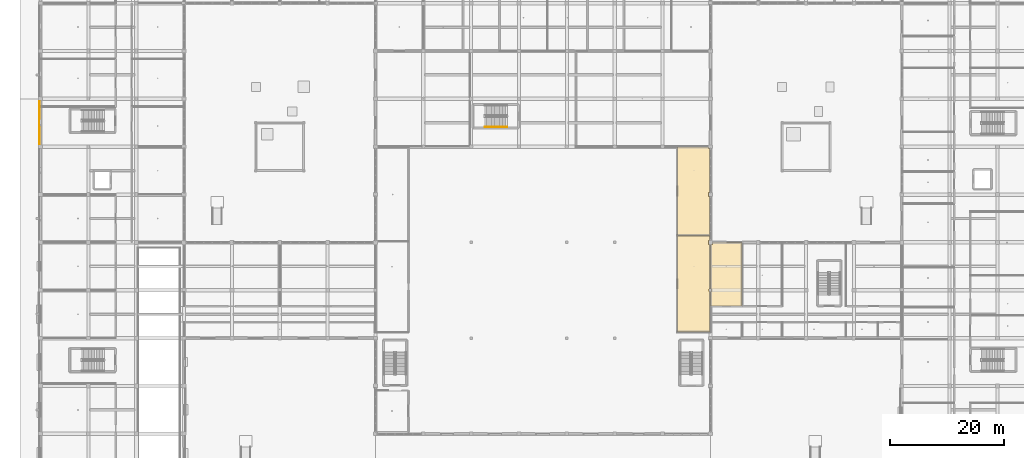
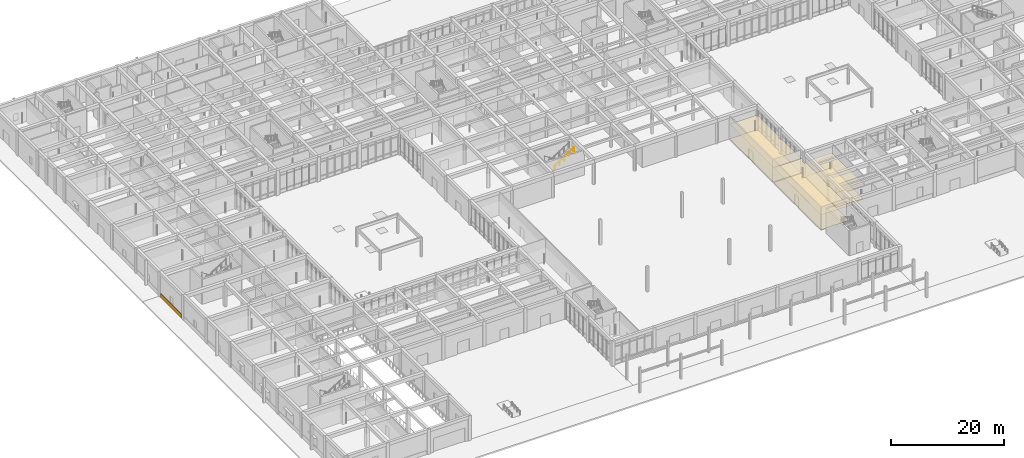
# One storey, part 146 of 167: 7 coverings, 1 railing.
"""IFC4 building model written with IfcOpenShell, lengths in metres."""

from ifc_helpers import new_model, si_unit, direction, frame, origin, origin_2d, place, context, subcontext, project, spatial, polyline, rectangle, circle, outline, extrude, material, layer, layer_set, type_object, element, save


model = new_model("IFC4")

# Units and contexts
model_context = context("Model", 3, precision=1e-05, world=origin(), true_north=direction((0.0, 1.0)))
body_context = subcontext(model_context, "Body", "Model", "MODEL_VIEW")
ifc_project = project(units=[si_unit("LENGTHUNIT", "METRE"), si_unit("AREAUNIT", "SQUARE_METRE"), si_unit("VOLUMEUNIT", "CUBIC_METRE"), si_unit("PLANEANGLEUNIT", "RADIAN"), si_unit("MASSUNIT", "GRAM", prefix="KILO")], contexts=[model_context])

# Site, building, storey
site_placement = place(None, origin())
site = spatial("IfcSite", under=ifc_project, at=site_placement, CompositionType="ELEMENT")
building_placement = place(site_placement, origin())
building = spatial("IfcBuilding", under=site, at=building_placement, Name="Varncliffe General Hospital", CompositionType="ELEMENT")
storey_placement = place(building_placement, origin())
storey = spatial("IfcBuildingStorey", under=building, at=storey_placement, Name="L00", CompositionType="ELEMENT", Elevation=0.0)

# Coverings
ifc_material_1 = material(Name="Hygienic antimicrobial acoustic suspended ceiling tile", Category="gypsum")
ifc_layer_1 = layer(ifc_material_1, 0.02490234375)
ifc_layer_set_1 = layer_set([ifc_layer_1], Name="Hygienic antimicrobial acoustic suspended ceiling tile")
covering_type_1 = type_object("IfcCoveringType", Name="Antimicrobial Acoustic Suspended Ceiling CLG44", PredefinedType="CEILING", material=ifc_layer_set_1)
covering_1_placement = place(storey_placement, frame((0.0, 0.0, 3.175048828125)))
element("IfcCovering", 1, at=covering_1_placement, inside=storey, type_object=covering_type_1, Name="L00 Hospital Dining Cafeteria Suspended Ceiling", PredefinedType="CEILING", context=body_context, shape_type="SweptSolid", body=[
    extrude(outline(polyline([(111.840087890625, 25.0400390625), (111.840087890625, 41.9599609375), (117.56005859375, 41.9599609375), (117.56005859375, 41.125), (117.27490234375, 41.125), (117.27490234375, 40.47509765625), (117.56005859375, 40.47509765625), (117.56005859375, 32.625), (117.375, 32.625), (117.375, 32.175048828125), (117.56005859375, 32.175048828125), (117.56005859375, 25.0400390625), (111.840087890625, 25.0400390625)])), origin(), (0.0, 0.0, 1.0), 0.02490234375),
])
covering_2_placement = place(storey_placement, frame((0.0, 0.0, 3.175048828125)))
element("IfcCovering", 2, at=covering_2_placement, inside=storey, type_object=covering_type_1, Name="L00 Cloister Cafe and Catering Kitchen Suspended Ceiling", PredefinedType="CEILING", context=body_context, shape_type="SweptSolid", body=[
    extrude(outline(polyline([(111.840087890625, 42.0400390625), (111.840087890625, 57.56005859375), (117.27490234375, 57.56005859375), (117.27490234375, 57.27490234375), (117.56005859375, 57.27490234375), (117.56005859375, 49.52490234375), (117.27490234375, 49.52490234375), (117.27490234375, 48.875), (117.56005859375, 48.875), (117.56005859375, 42.0400390625), (111.840087890625, 42.0400390625)])), origin(), (0.0, 0.0, 1.0), 0.02490234375),
])
covering_3_placement = place(storey_placement, frame((0.0, 0.0, 3.175048828125)))
element("IfcCovering", 3, at=covering_3_placement, inside=storey, type_object=covering_type_1, Name="L00 Outpatient Consultation and Exam Clinic 106 Suspended Ceiling", PredefinedType="CEILING", context=body_context, shape_type="SweptSolid", body=[
    extrude(outline(polyline([(123.159912109375, 40.760009765625), (123.159912109375, 29.639892578125), (117.639892578125, 29.639892578125), (117.639892578125, 32.175048828125), (117.824951171875, 32.175048828125), (117.824951171875, 32.625), (117.639892578125, 32.625), (117.639892578125, 40.47509765625), (117.925048828125, 40.47509765625), (117.925048828125, 40.760009765625), (123.159912109375, 40.760009765625)])), origin(), (0.0, 0.0, 1.0), 0.02490234375),
])
ifc_material_2 = material(Name="Credit Valley buff limestone ashlar cladding", Category="masonry")
ifc_layer_2 = layer(ifc_material_2, 0.050048828125)
ifc_layer_set_2 = layer_set([ifc_layer_2], Name="Credit Valley buff limestone ashlar cladding")
covering_type_2 = type_object("IfcCoveringType", Name="Credit Valley Limestone Ashlar Plinth Cladding CLD17", PredefinedType="CLADDING", material=ifc_layer_set_2)
covering_4_placement = place(storey_placement, frame((-0.199951171875, 61.800048828125, 0.010009765625), z_axis=(0.0, 0.0, 1.0), x_axis=(0.0, 1.0, 0.0)))
element("IfcCovering", 4, at=covering_4_placement, inside=storey, type_object=covering_type_2, Name="L00 Limestone Base Cladding 3", PredefinedType="CLADDING", context=body_context, shape_type="SweptSolid", body=[
    extrude(rectangle(XDim=7.513916015625, YDim=0.050048828125, at=origin_2d()), origin(), (0.0, 0.0, 1.0), 0.8798828125),
])
ifc_material_3 = material(Name="Seamless welded hospital sheet linoleum and terrazzo flooring", Category="linoleum")
ifc_layer_3 = layer(ifc_material_3, 0.011962890625)
ifc_layer_set_3 = layer_set([ifc_layer_3], Name="Seamless welded hospital sheet linoleum and terrazzo flooring")
covering_type_3 = type_object("IfcCoveringType", Name="Seamless Hospital Linoleum Flooring FLR19", PredefinedType="FLOORING", material=ifc_layer_set_3)
covering_5_placement = place(storey_placement, origin())
element("IfcCovering", 5, at=covering_5_placement, inside=storey, type_object=covering_type_3, Name="L00 Hospital Dining Cafeteria Seamless Flooring", PredefinedType="FLOORING", context=body_context, shape_type="SweptSolid", body=[
    extrude(outline(polyline([(111.840087890625, 25.0400390625), (111.840087890625, 41.9599609375), (117.56005859375, 41.9599609375), (117.56005859375, 41.125), (117.27490234375, 41.125), (117.27490234375, 40.47509765625), (117.56005859375, 40.47509765625), (117.56005859375, 32.625), (117.375, 32.625), (117.375, 32.175048828125), (117.56005859375, 32.175048828125), (117.56005859375, 25.0400390625), (111.840087890625, 25.0400390625)])), origin(), (0.0, 0.0, 1.0), 0.011962890625),
])
covering_6_placement = place(storey_placement, origin())
element("IfcCovering", 6, at=covering_6_placement, inside=storey, type_object=covering_type_3, Name="L00 Cloister Cafe and Catering Kitchen Seamless Flooring", PredefinedType="FLOORING", context=body_context, shape_type="SweptSolid", body=[
    extrude(outline(polyline([(111.840087890625, 42.0400390625), (111.840087890625, 57.56005859375), (117.27490234375, 57.56005859375), (117.27490234375, 57.27490234375), (117.56005859375, 57.27490234375), (117.56005859375, 49.52490234375), (117.27490234375, 49.52490234375), (117.27490234375, 48.875), (117.56005859375, 48.875), (117.56005859375, 42.0400390625), (111.840087890625, 42.0400390625)])), origin(), (0.0, 0.0, 1.0), 0.011962890625),
])
covering_7_placement = place(storey_placement, origin())
element("IfcCovering", 7, at=covering_7_placement, inside=storey, type_object=covering_type_3, Name="L00 Outpatient Consultation and Exam Clinic 106 Seamless Flooring", PredefinedType="FLOORING", context=body_context, shape_type="SweptSolid", body=[
    extrude(outline(polyline([(123.159912109375, 40.760009765625), (123.159912109375, 29.639892578125), (117.639892578125, 29.639892578125), (117.639892578125, 32.175048828125), (117.824951171875, 32.175048828125), (117.824951171875, 32.625), (117.639892578125, 32.625), (117.639892578125, 40.47509765625), (117.925048828125, 40.47509765625), (117.925048828125, 40.760009765625), (123.159912109375, 40.760009765625)])), origin(), (0.0, 0.0, 1.0), 0.011962890625),
])

# Railing
ifc_material_4 = material(Name="Powder-coated hospital steel guardrail and handrail", Category="steel")
railing_type = type_object("IfcRailingType", Name="Stair and Ramp Handrail HR46", PredefinedType="HANDRAIL", material=ifc_material_4)
railing_placement = place(storey_placement, frame((78.030029296875, 61.050048828125, 3.06396484375)))
element("IfcRailing", 8, at=railing_placement, inside=storey, type_object=railing_type, Name="L00 ST16 stair handrail 2", PredefinedType="HANDRAIL", context=body_context, shape_type="SweptSolid", body=[
    extrude(circle(Radius=0.02392578125, at=origin_2d()), frame((0.0, 0.0, 0.8759765625), z_axis=(0.841171666519, 0.0, 0.540768182723), x_axis=(0.0, 1.0, 0.0)), (0.0, 0.0, 1.0), 4.66015625),
    extrude(circle(Radius=0.02099609375, at=origin_2d()), origin(), (0.0, 0.0, 1.0), 0.851806640625),
    extrude(circle(Radius=0.02099609375, at=origin_2d()), frame((0.97998046875, 0.0, 0.6298828125)), (0.0, 0.0, 1.0), 0.851806640625),
    extrude(circle(Radius=0.02099609375, at=origin_2d()), frame((1.9599609375, 0.0, 1.260009765625)), (0.0, 0.0, 1.0), 0.851806640625),
    extrude(circle(Radius=0.02099609375, at=origin_2d()), frame((2.93994140625, 0.0, 1.89013671875)), (0.0, 0.0, 1.0), 0.851806640625),
    extrude(circle(Radius=0.02099609375, at=origin_2d()), frame((3.919921875, 0.0, 2.52001953125)), (0.0, 0.0, 1.0), 0.851806640625),
])

save(model, "model.ifc")
